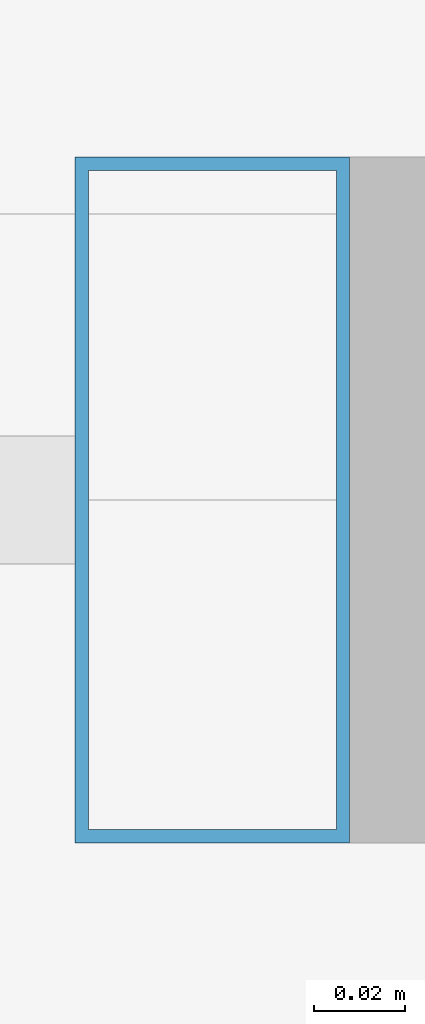
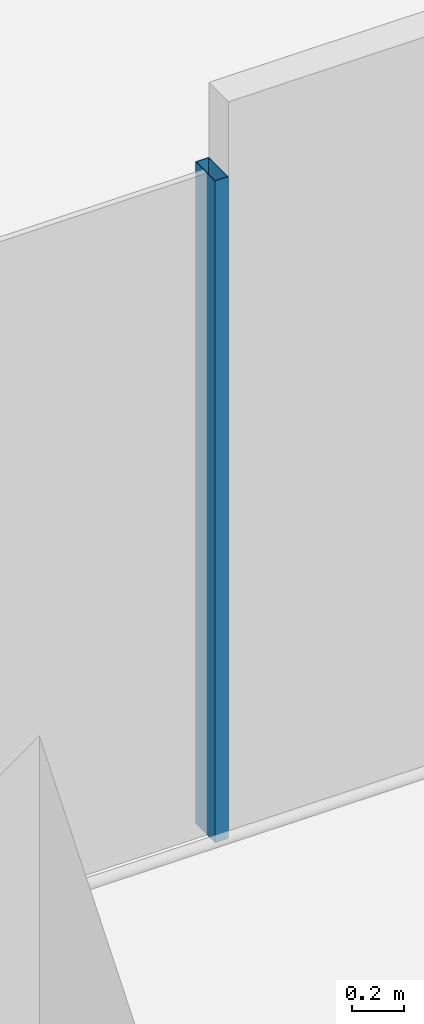
# One storey, part 7 of 54: 1 member, 1 element without a shape of its own.
"""IFC4 building model written with IfcOpenShell, lengths in metres."""

from ifc_helpers import new_model, si_unit, direction, frame, origin, origin_2d, place, context, subcontext, project, spatial, hollow_rectangle, extrude, material, material_profile, profile_set, type_object, element, aggregate, save


model = new_model("IFC4")

# Units and contexts
model_context = context("Model", 3, precision=1e-05, world=origin(), true_north=direction((0.0, 1.0)))
body_context = subcontext(model_context, "Body", "Model", "MODEL_VIEW")
ifc_project = project(units=[si_unit("LENGTHUNIT", "METRE"), si_unit("AREAUNIT", "SQUARE_METRE"), si_unit("VOLUMEUNIT", "CUBIC_METRE"), si_unit("PLANEANGLEUNIT", "RADIAN"), si_unit("MASSUNIT", "GRAM", prefix="KILO")], contexts=[model_context])

# Site, building, storey
site_placement = place(None, origin())
site = spatial("IfcSite", under=ifc_project, at=site_placement, CompositionType="ELEMENT")
building_placement = place(site_placement, origin())
building = spatial("IfcBuilding", under=site, at=building_placement, Name="Altepetl Exchange Towers", CompositionType="ELEMENT")
storey_placement = place(building_placement, frame((0.0, 0.0, 61.800048828125)))
storey = spatial("IfcBuildingStorey", under=building, at=storey_placement, Name="L14", CompositionType="ELEMENT", Elevation=61.800048828125)

# Curtain wall, member
ifc_material_1 = material(Name="Aluminium 6063-T6 glazing", Category="aluminium")
curtain_wall_type = type_object("IfcCurtainWallType", Name="Loggia glazing system", PredefinedType="NOTDEFINED", material=ifc_material_1)
curtain_wall_placement = place(storey_placement, origin())
curtain_wall = element("IfcCurtainWall", 1, at=curtain_wall_placement, inside=storey, type_object=curtain_wall_type, Name="CW1 run", PredefinedType="NOTDEFINED")
ifc_material_2 = material(Name="Aluminium 6063-T6", Category="aluminium")
ifc_material_profile = material_profile(ifc_material_2, hollow_rectangle(XDim=0.06005859375, YDim=0.14990234375, WallThickness=0.0029296875, at=origin_2d()), Name="Mullion 60x150 aluminium")
ifc_profile_set = profile_set([ifc_material_profile], Name="Aluminium 6063-T6")
member_type = type_object("IfcMemberType", Name="Mullion 60x150 aluminium", PredefinedType="MULLION", material=ifc_profile_set)
member_placement = place(storey_placement, frame((47.152099609375, 29.0, 0.0)))
member = element("IfcMember", 2, at=member_placement, type_object=member_type, Name="MU1 mullion", PredefinedType="MULLION", context=body_context, shape_type="SweptSolid", body=[
    extrude(hollow_rectangle(XDim=0.06005859375, YDim=0.14990234375, WallThickness=0.0029296875, at=origin_2d()), origin(), (0.0, 0.0, 1.0), 3.099853515625),
])
aggregate(curtain_wall, [member])

save(model, "model.ifc")
